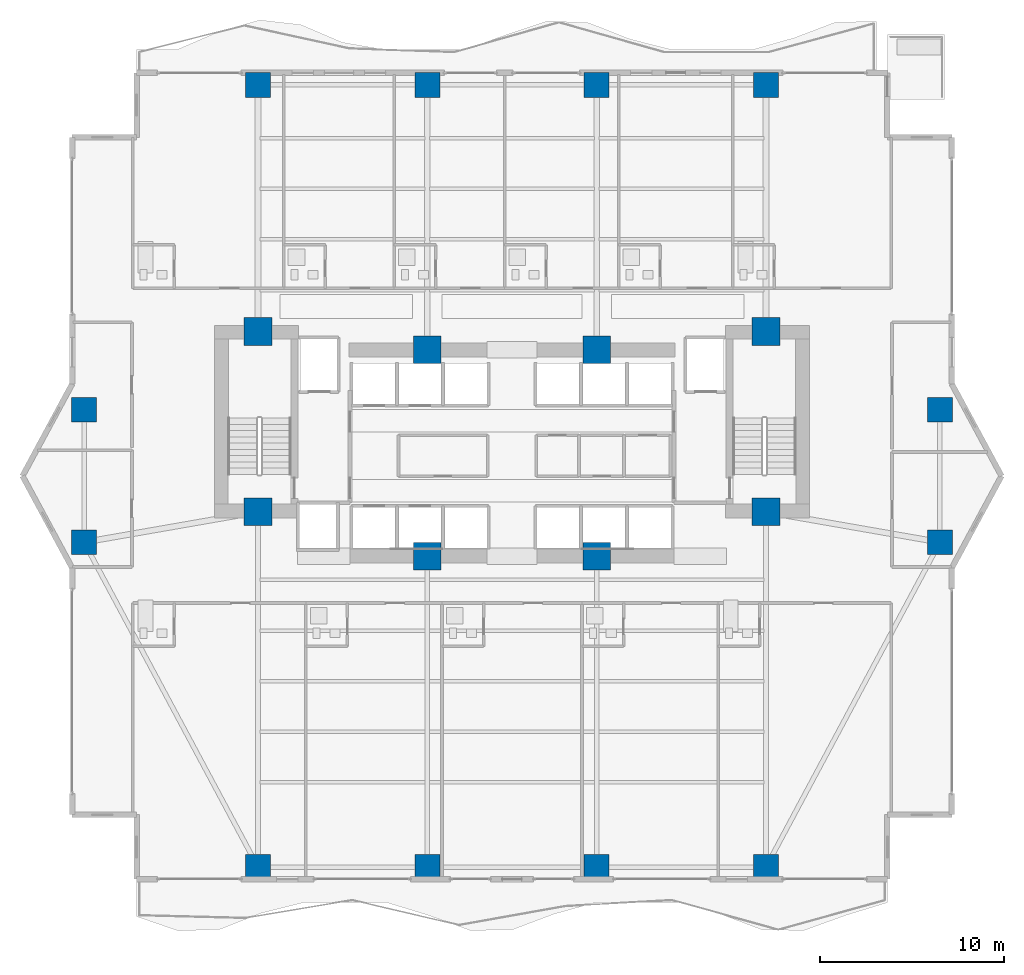
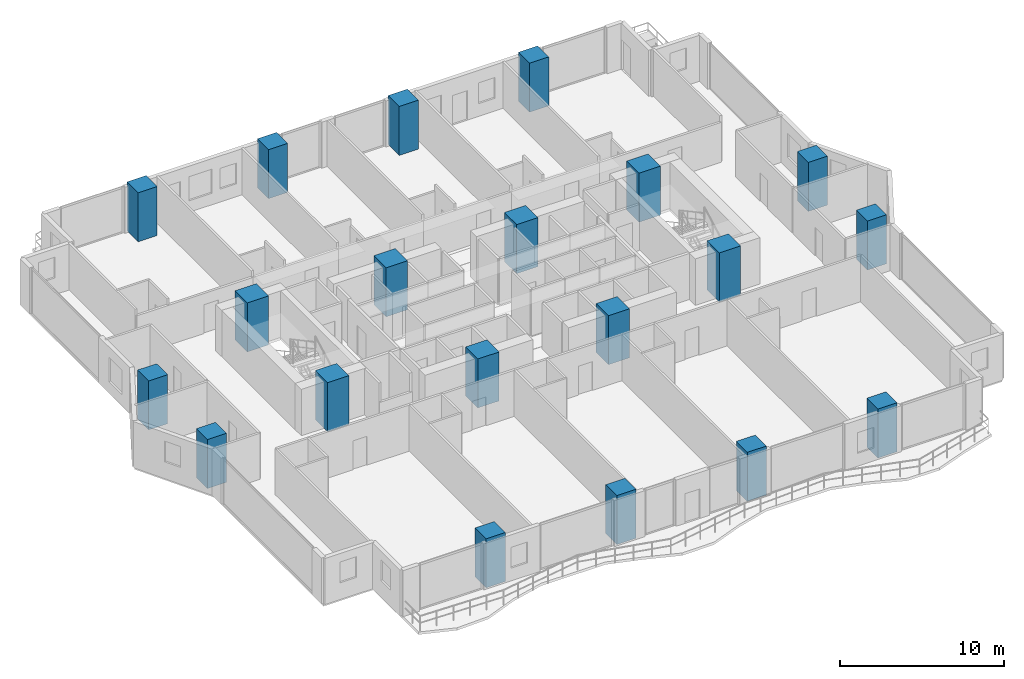
# One storey, part 1 of 28: 20 columns.
"""IFC4 building model written with IfcOpenShell, lengths in metres."""

from ifc_helpers import new_model, si_unit, direction, frame, origin, origin_2d, place, context, subcontext, project, spatial, rectangle, extrude, material, material_profile, profile_set, type_object, element, save


model = new_model("IFC4")

# Units and contexts
model_context = context("Model", 3, precision=1e-05, world=origin(), true_north=direction((0.0, 1.0)))
body_context = subcontext(model_context, "Body", "Model", "MODEL_VIEW")
ifc_project = project(units=[si_unit("LENGTHUNIT", "METRE"), si_unit("AREAUNIT", "SQUARE_METRE"), si_unit("VOLUMEUNIT", "CUBIC_METRE"), si_unit("PLANEANGLEUNIT", "RADIAN"), si_unit("MASSUNIT", "GRAM", prefix="KILO")], contexts=[model_context])

# Site, building, storey
site_placement = place(None, origin())
site = spatial("IfcSite", under=ifc_project, at=site_placement, CompositionType="ELEMENT")
building_placement = place(site_placement, origin())
building = spatial("IfcBuilding", under=site, at=building_placement, Name="Zuhayl Quay Hotel", CompositionType="ELEMENT")
storey_placement = place(building_placement, frame((0.0, 0.0, 99.300048828125)))
storey = spatial("IfcBuildingStorey", under=building, at=storey_placement, Name="L24", CompositionType="ELEMENT", Elevation=99.300048828125)

# Columns
ifc_material = material(Name="Concrete C70/85", Category="concrete")
ifc_material_profile_1 = material_profile(ifc_material, rectangle(XDim=1.5, YDim=1.5, at=origin_2d()), Name="RC1500X1500")
ifc_profile_set_1 = profile_set([ifc_material_profile_1], Name="Concrete C70/85")
column_type_1 = type_object("IfcColumnType", Name="CL_CC1_1500", PredefinedType="COLUMN", material=ifc_profile_set_1)
for number, where, z_axis, x_axis, name in (
    (1, (-13.800048828125, 14.35009765625, 0.0), (0.0, 0.0, 1.0), (1.0, 0.0, 0.0), "L24 Core Column CC_NW"),
    (2, (-4.60009765625, 13.35009765625, 0.0), (0.0, 0.0, 1.0), (1.0, 0.0, 0.0), "L24 Core Column CC_CNW"),
    (3, (4.60009765625, 13.35009765625, 0.0), (0.0, 0.0, 1.0), (1.0, 0.0, 0.0), "L24 Core Column CC_CNE"),
    (4, (13.800048828125, 14.35009765625, 0.0), (0.0, 0.0, 1.0), (1.0, 0.0, 0.0), "L24 Core Column CC_NE"),
    (5, (-13.800048828125, 4.550048828125, 0.0), (0.0, 0.0, 1.0), (1.0, 0.0, 0.0), "L24 Core Column CC_SW"),
    (6, (-4.60009765625, 2.14990234375, 0.0), (0.0, 0.0, 1.0), (1.0, 0.0, 0.0), "L24 Core Column CC_CSW"),
    (7, (4.60009765625, 2.14990234375, 0.0), (0.0, 0.0, 1.0), (1.0, 0.0, 0.0), "L24 Core Column CC_CSE"),
    (8, (13.800048828125, 4.550048828125, 0.0), (0.0, 0.0, 1.0), (1.0, 0.0, 0.0), "L24 Core Column CC_SE"),
):
    element("IfcColumn", number, at=place(storey_placement, frame(where, z_axis=z_axis, x_axis=x_axis)), inside=storey, type_object=column_type_1, Name=name, PredefinedType="COLUMN", context=body_context, shape_type="SweptSolid", body=[
        extrude(rectangle(XDim=1.5, YDim=1.5, at=origin_2d()), origin(), (0.0, 0.0, 1.0), 3.64990234375),
    ])
ifc_material_profile_2 = material_profile(ifc_material, rectangle(XDim=1.35009765625, YDim=1.35009765625, at=origin_2d()), Name="RC1350X1350")
ifc_profile_set_2 = profile_set([ifc_material_profile_2], Name="Concrete C70/85")
column_type_2 = type_object("IfcColumnType", Name="CL_MC2_1350", PredefinedType="COLUMN", material=ifc_profile_set_2)
for number, where, z_axis, x_axis, name in (
    (9, (-13.800048828125, -14.75, 0.0), (0.0, 0.0, 1.0), (1.0, 0.0, 0.0), "L24 Mega-Column MC_S1"),
    (10, (-4.60009765625, -14.75, 0.0), (0.0, 0.0, 1.0), (1.0, 0.0, 0.0), "L24 Mega-Column MC_S2"),
    (11, (4.60009765625, -14.75, 0.0), (0.0, 0.0, 1.0), (1.0, 0.0, 0.0), "L24 Mega-Column MC_S3"),
    (12, (13.800048828125, -14.75, 0.0), (0.0, 0.0, 1.0), (1.0, 0.0, 0.0), "L24 Mega-Column MC_S4"),
    (13, (-13.800048828125, 27.75, 0.0), (0.0, 0.0, 1.0), (1.0, 0.0, 0.0), "L24 Mega-Column MC_N1"),
    (14, (-4.60009765625, 27.75, 0.0), (0.0, 0.0, 1.0), (1.0, 0.0, 0.0), "L24 Mega-Column MC_N2"),
    (15, (4.60009765625, 27.75, 0.0), (0.0, 0.0, 1.0), (1.0, 0.0, 0.0), "L24 Mega-Column MC_N3"),
    (16, (13.800048828125, 27.75, 0.0), (0.0, 0.0, 1.0), (1.0, 0.0, 0.0), "L24 Mega-Column MC_N4"),
    (17, (-23.25, 2.89990234375, 0.0), (0.0, 0.0, 1.0), (1.0, 0.0, 0.0), "L24 Mega-Column MC_W1"),
    (18, (-23.25, 10.10009765625, 0.0), (0.0, 0.0, 1.0), (1.0, 0.0, 0.0), "L24 Mega-Column MC_W2"),
    (19, (23.25, 2.89990234375, 0.0), (0.0, 0.0, 1.0), (1.0, 0.0, 0.0), "L24 Mega-Column MC_E1"),
    (20, (23.25, 10.10009765625, 0.0), (0.0, 0.0, 1.0), (1.0, 0.0, 0.0), "L24 Mega-Column MC_E2"),
):
    element("IfcColumn", number, at=place(storey_placement, frame(where, z_axis=z_axis, x_axis=x_axis)), inside=storey, type_object=column_type_2, Name=name, PredefinedType="COLUMN", context=body_context, shape_type="SweptSolid", body=[
        extrude(rectangle(XDim=1.35009765625, YDim=1.35009765625, at=origin_2d()), origin(), (0.0, 0.0, 1.0), 3.64990234375),
    ])

save(model, "model.ifc")
